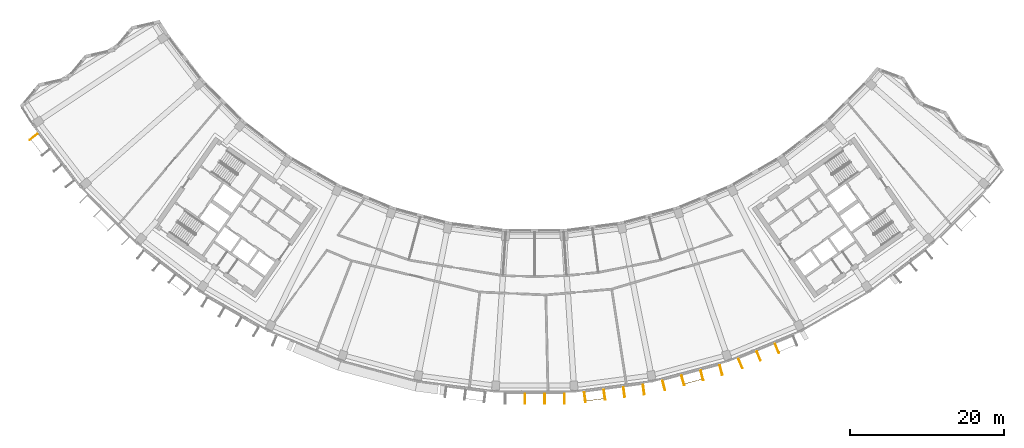
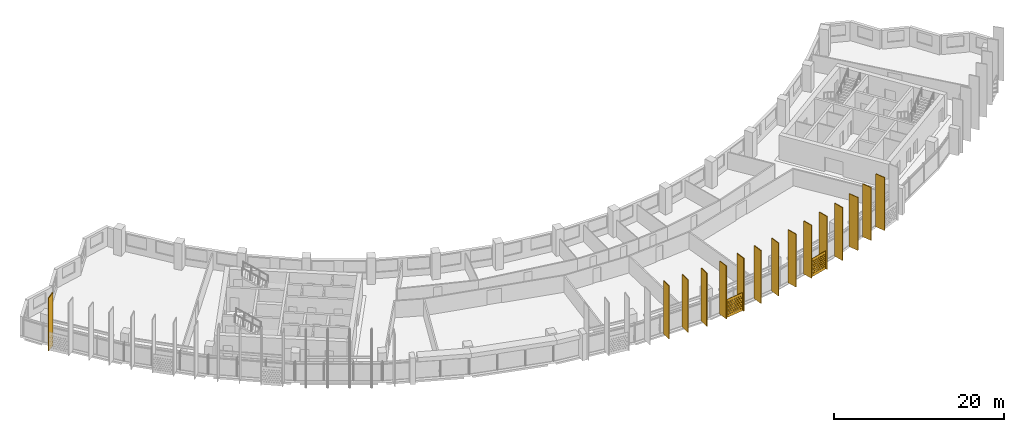
# One storey, part 26 of 28: 17 shading devices.
"""IFC4 building model written with IfcOpenShell, lengths in metres."""

from ifc_helpers import new_model, si_unit, direction, frame, origin, origin_2d, place, context, subcontext, project, spatial, polyline, rectangle, outline, extrude, material, material_profile, profile_set, type_object, element, save


model = new_model("IFC4")

# Units and contexts
model_context = context("Model", 3, precision=1e-05, world=origin(), true_north=direction((0.0, 1.0)))
body_context = subcontext(model_context, "Body", "Model", "MODEL_VIEW")
ifc_project = project(units=[si_unit("LENGTHUNIT", "METRE"), si_unit("AREAUNIT", "SQUARE_METRE"), si_unit("VOLUMEUNIT", "CUBIC_METRE"), si_unit("PLANEANGLEUNIT", "RADIAN"), si_unit("MASSUNIT", "GRAM", prefix="KILO")], contexts=[model_context])

# Site, building, storey
site_placement = place(None, origin())
site = spatial("IfcSite", under=ifc_project, at=site_placement, CompositionType="ELEMENT")
building_placement = place(site_placement, origin())
building = spatial("IfcBuilding", under=site, at=building_placement, Name="Qamariyya Broadcast Tower", CompositionType="ELEMENT")
storey_placement = place(building_placement, frame((0.0, 0.0, 234.10009765625)))
storey = spatial("IfcBuildingStorey", under=building, at=storey_placement, Name="L56", CompositionType="ELEMENT", Elevation=234.10009765625)

# Shading devices
ifc_material_1 = material(Name="Perforated glazed terracotta", Category="masonry")
ifc_material_profile_1 = material_profile(ifc_material_1, outline(polyline([(-1.199951171875, -1.300048828125), (1.199951171875, -1.300048828125), (1.199951171875, 1.300048828125), (-1.199951171875, 1.300048828125), (-1.199951171875, -1.300048828125)]), holes=[polyline([(-0.81494140625, -0.86669921875), (-0.89990234375, -0.78173828125), (-0.985107421875, -0.86669921875), (-0.89990234375, -0.95166015625), (-0.81494140625, -0.86669921875)]), polyline([(-0.514892578125, -0.86669921875), (-0.60009765625, -0.78173828125), (-0.68505859375, -0.86669921875), (-0.60009765625, -0.95166015625), (-0.514892578125, -0.86669921875)]), polyline([(-0.215087890625, -0.86669921875), (-0.300048828125, -0.78173828125), (-0.385009765625, -0.86669921875), (-0.300048828125, -0.95166015625), (-0.215087890625, -0.86669921875)]), polyline([(0.0849609375, -0.86669921875), (0.0, -0.78173828125), (-0.0849609375, -0.86669921875), (0.0, -0.95166015625), (0.0849609375, -0.86669921875)]), polyline([(0.385009765625, -0.86669921875), (0.300048828125, -0.78173828125), (0.215087890625, -0.86669921875), (0.300048828125, -0.95166015625), (0.385009765625, -0.86669921875)]), polyline([(0.68505859375, -0.86669921875), (0.60009765625, -0.78173828125), (0.514892578125, -0.86669921875), (0.60009765625, -0.95166015625), (0.68505859375, -0.86669921875)]), polyline([(0.985107421875, -0.86669921875), (0.89990234375, -0.78173828125), (0.81494140625, -0.86669921875), (0.89990234375, -0.95166015625), (0.985107421875, -0.86669921875)]), polyline([(-0.965087890625, -0.577880859375), (-1.050048828125, -0.49267578125), (-1.135009765625, -0.577880859375), (-1.050048828125, -0.662841796875), (-0.965087890625, -0.577880859375)]), polyline([(-0.6650390625, -0.577880859375), (-0.75, -0.49267578125), (-0.8349609375, -0.577880859375), (-0.75, -0.662841796875), (-0.6650390625, -0.577880859375)]), polyline([(-0.364990234375, -0.577880859375), (-0.449951171875, -0.49267578125), (-0.534912109375, -0.577880859375), (-0.449951171875, -0.662841796875), (-0.364990234375, -0.577880859375)]), polyline([(-0.06494140625, -0.577880859375), (-0.14990234375, -0.49267578125), (-0.235107421875, -0.577880859375), (-0.14990234375, -0.662841796875), (-0.06494140625, -0.577880859375)]), polyline([(0.235107421875, -0.577880859375), (0.14990234375, -0.49267578125), (0.06494140625, -0.577880859375), (0.14990234375, -0.662841796875), (0.235107421875, -0.577880859375)]), polyline([(0.534912109375, -0.577880859375), (0.449951171875, -0.49267578125), (0.364990234375, -0.577880859375), (0.449951171875, -0.662841796875), (0.534912109375, -0.577880859375)]), polyline([(0.8349609375, -0.577880859375), (0.75, -0.49267578125), (0.6650390625, -0.577880859375), (0.75, -0.662841796875), (0.8349609375, -0.577880859375)]), polyline([(1.135009765625, -0.577880859375), (1.050048828125, -0.49267578125), (0.965087890625, -0.577880859375), (1.050048828125, -0.662841796875), (1.135009765625, -0.577880859375)]), polyline([(-0.81494140625, -0.288818359375), (-0.89990234375, -0.203857421875), (-0.985107421875, -0.288818359375), (-0.89990234375, -0.373779296875), (-0.81494140625, -0.288818359375)]), polyline([(-0.514892578125, -0.288818359375), (-0.60009765625, -0.203857421875), (-0.68505859375, -0.288818359375), (-0.60009765625, -0.373779296875), (-0.514892578125, -0.288818359375)]), polyline([(-0.215087890625, -0.288818359375), (-0.300048828125, -0.203857421875), (-0.385009765625, -0.288818359375), (-0.300048828125, -0.373779296875), (-0.215087890625, -0.288818359375)]), polyline([(0.0849609375, -0.288818359375), (0.0, -0.203857421875), (-0.0849609375, -0.288818359375), (0.0, -0.373779296875), (0.0849609375, -0.288818359375)]), polyline([(0.385009765625, -0.288818359375), (0.300048828125, -0.203857421875), (0.215087890625, -0.288818359375), (0.300048828125, -0.373779296875), (0.385009765625, -0.288818359375)]), polyline([(0.68505859375, -0.288818359375), (0.60009765625, -0.203857421875), (0.514892578125, -0.288818359375), (0.60009765625, -0.373779296875), (0.68505859375, -0.288818359375)]), polyline([(0.985107421875, -0.288818359375), (0.89990234375, -0.203857421875), (0.81494140625, -0.288818359375), (0.89990234375, -0.373779296875), (0.985107421875, -0.288818359375)]), polyline([(-0.965087890625, 0.0), (-1.050048828125, 0.0849609375), (-1.135009765625, 0.0), (-1.050048828125, -0.0849609375), (-0.965087890625, 0.0)]), polyline([(-0.6650390625, 0.0), (-0.75, 0.0849609375), (-0.8349609375, 0.0), (-0.75, -0.0849609375), (-0.6650390625, 0.0)]), polyline([(-0.364990234375, 0.0), (-0.449951171875, 0.0849609375), (-0.534912109375, 0.0), (-0.449951171875, -0.0849609375), (-0.364990234375, 0.0)]), polyline([(-0.06494140625, 0.0), (-0.14990234375, 0.0849609375), (-0.235107421875, 0.0), (-0.14990234375, -0.0849609375), (-0.06494140625, 0.0)]), polyline([(0.235107421875, 0.0), (0.14990234375, 0.0849609375), (0.06494140625, 0.0), (0.14990234375, -0.0849609375), (0.235107421875, 0.0)]), polyline([(0.534912109375, 0.0), (0.449951171875, 0.0849609375), (0.364990234375, 0.0), (0.449951171875, -0.0849609375), (0.534912109375, 0.0)]), polyline([(0.8349609375, 0.0), (0.75, 0.0849609375), (0.6650390625, 0.0), (0.75, -0.0849609375), (0.8349609375, 0.0)]), polyline([(1.135009765625, 0.0), (1.050048828125, 0.0849609375), (0.965087890625, 0.0), (1.050048828125, -0.0849609375), (1.135009765625, 0.0)]), polyline([(-0.81494140625, 0.288818359375), (-0.89990234375, 0.373779296875), (-0.985107421875, 0.288818359375), (-0.89990234375, 0.203857421875), (-0.81494140625, 0.288818359375)]), polyline([(-0.514892578125, 0.288818359375), (-0.60009765625, 0.373779296875), (-0.68505859375, 0.288818359375), (-0.60009765625, 0.203857421875), (-0.514892578125, 0.288818359375)]), polyline([(-0.215087890625, 0.288818359375), (-0.300048828125, 0.373779296875), (-0.385009765625, 0.288818359375), (-0.300048828125, 0.203857421875), (-0.215087890625, 0.288818359375)]), polyline([(0.0849609375, 0.288818359375), (0.0, 0.373779296875), (-0.0849609375, 0.288818359375), (0.0, 0.203857421875), (0.0849609375, 0.288818359375)]), polyline([(0.385009765625, 0.288818359375), (0.300048828125, 0.373779296875), (0.215087890625, 0.288818359375), (0.300048828125, 0.203857421875), (0.385009765625, 0.288818359375)]), polyline([(0.68505859375, 0.288818359375), (0.60009765625, 0.373779296875), (0.514892578125, 0.288818359375), (0.60009765625, 0.203857421875), (0.68505859375, 0.288818359375)]), polyline([(0.985107421875, 0.288818359375), (0.89990234375, 0.373779296875), (0.81494140625, 0.288818359375), (0.89990234375, 0.203857421875), (0.985107421875, 0.288818359375)]), polyline([(-0.965087890625, 0.577880859375), (-1.050048828125, 0.662841796875), (-1.135009765625, 0.577880859375), (-1.050048828125, 0.49267578125), (-0.965087890625, 0.577880859375)]), polyline([(-0.6650390625, 0.577880859375), (-0.75, 0.662841796875), (-0.8349609375, 0.577880859375), (-0.75, 0.49267578125), (-0.6650390625, 0.577880859375)]), polyline([(-0.364990234375, 0.577880859375), (-0.449951171875, 0.662841796875), (-0.534912109375, 0.577880859375), (-0.449951171875, 0.49267578125), (-0.364990234375, 0.577880859375)]), polyline([(-0.06494140625, 0.577880859375), (-0.14990234375, 0.662841796875), (-0.235107421875, 0.577880859375), (-0.14990234375, 0.49267578125), (-0.06494140625, 0.577880859375)]), polyline([(0.235107421875, 0.577880859375), (0.14990234375, 0.662841796875), (0.06494140625, 0.577880859375), (0.14990234375, 0.49267578125), (0.235107421875, 0.577880859375)]), polyline([(0.534912109375, 0.577880859375), (0.449951171875, 0.662841796875), (0.364990234375, 0.577880859375), (0.449951171875, 0.49267578125), (0.534912109375, 0.577880859375)]), polyline([(0.8349609375, 0.577880859375), (0.75, 0.662841796875), (0.6650390625, 0.577880859375), (0.75, 0.49267578125), (0.8349609375, 0.577880859375)]), polyline([(1.135009765625, 0.577880859375), (1.050048828125, 0.662841796875), (0.965087890625, 0.577880859375), (1.050048828125, 0.49267578125), (1.135009765625, 0.577880859375)]), polyline([(-0.81494140625, 0.86669921875), (-0.89990234375, 0.95166015625), (-0.985107421875, 0.86669921875), (-0.89990234375, 0.78173828125), (-0.81494140625, 0.86669921875)]), polyline([(-0.514892578125, 0.86669921875), (-0.60009765625, 0.95166015625), (-0.68505859375, 0.86669921875), (-0.60009765625, 0.78173828125), (-0.514892578125, 0.86669921875)]), polyline([(-0.215087890625, 0.86669921875), (-0.300048828125, 0.95166015625), (-0.385009765625, 0.86669921875), (-0.300048828125, 0.78173828125), (-0.215087890625, 0.86669921875)]), polyline([(0.0849609375, 0.86669921875), (0.0, 0.95166015625), (-0.0849609375, 0.86669921875), (0.0, 0.78173828125), (0.0849609375, 0.86669921875)]), polyline([(0.385009765625, 0.86669921875), (0.300048828125, 0.95166015625), (0.215087890625, 0.86669921875), (0.300048828125, 0.78173828125), (0.385009765625, 0.86669921875)]), polyline([(0.68505859375, 0.86669921875), (0.60009765625, 0.95166015625), (0.514892578125, 0.86669921875), (0.60009765625, 0.78173828125), (0.68505859375, 0.86669921875)]), polyline([(0.985107421875, 0.86669921875), (0.89990234375, 0.95166015625), (0.81494140625, 0.86669921875), (0.89990234375, 0.78173828125), (0.985107421875, 0.86669921875)])]))
ifc_profile_set_1 = profile_set([ifc_material_profile_1], Name="Perforated glazed terracotta")
shading_device_type_1 = type_object("IfcShadingDeviceType", Name="Perforated terracotta screen 2400 x 2600", PredefinedType="USERDEFINED", material=ifc_profile_set_1)
shading_device_1_placement = place(storey_placement, frame((7.823974609375, -79.40966796875, 1.349853515625), z_axis=(0.1300340368, -0.991509530601, 0.0), x_axis=(0.991509530601, 0.1300340368, 0.0)))
element("IfcShadingDevice", 1, at=shading_device_1_placement, inside=storey, type_object=shading_device_type_1, Name="e-scr-L56-09-0", ObjectType="SCREEN", PredefinedType="USERDEFINED", context=body_context, shape_type="SweptSolid", body=[
    extrude(outline(polyline([(-1.199951171875, -1.300048828125), (1.199951171875, -1.300048828125), (1.199951171875, 1.300048828125), (-1.199951171875, 1.300048828125), (-1.199951171875, -1.300048828125)]), holes=[polyline([(-0.81494140625, -0.86669921875), (-0.89990234375, -0.78173828125), (-0.985107421875, -0.86669921875), (-0.89990234375, -0.95166015625), (-0.81494140625, -0.86669921875)]), polyline([(-0.514892578125, -0.86669921875), (-0.60009765625, -0.78173828125), (-0.68505859375, -0.86669921875), (-0.60009765625, -0.95166015625), (-0.514892578125, -0.86669921875)]), polyline([(-0.215087890625, -0.86669921875), (-0.300048828125, -0.78173828125), (-0.385009765625, -0.86669921875), (-0.300048828125, -0.95166015625), (-0.215087890625, -0.86669921875)]), polyline([(0.0849609375, -0.86669921875), (0.0, -0.78173828125), (-0.0849609375, -0.86669921875), (0.0, -0.95166015625), (0.0849609375, -0.86669921875)]), polyline([(0.385009765625, -0.86669921875), (0.300048828125, -0.78173828125), (0.215087890625, -0.86669921875), (0.300048828125, -0.95166015625), (0.385009765625, -0.86669921875)]), polyline([(0.68505859375, -0.86669921875), (0.60009765625, -0.78173828125), (0.514892578125, -0.86669921875), (0.60009765625, -0.95166015625), (0.68505859375, -0.86669921875)]), polyline([(0.985107421875, -0.86669921875), (0.89990234375, -0.78173828125), (0.81494140625, -0.86669921875), (0.89990234375, -0.95166015625), (0.985107421875, -0.86669921875)]), polyline([(-0.965087890625, -0.577880859375), (-1.050048828125, -0.49267578125), (-1.135009765625, -0.577880859375), (-1.050048828125, -0.662841796875), (-0.965087890625, -0.577880859375)]), polyline([(-0.6650390625, -0.577880859375), (-0.75, -0.49267578125), (-0.8349609375, -0.577880859375), (-0.75, -0.662841796875), (-0.6650390625, -0.577880859375)]), polyline([(-0.364990234375, -0.577880859375), (-0.449951171875, -0.49267578125), (-0.534912109375, -0.577880859375), (-0.449951171875, -0.662841796875), (-0.364990234375, -0.577880859375)]), polyline([(-0.06494140625, -0.577880859375), (-0.14990234375, -0.49267578125), (-0.235107421875, -0.577880859375), (-0.14990234375, -0.662841796875), (-0.06494140625, -0.577880859375)]), polyline([(0.235107421875, -0.577880859375), (0.14990234375, -0.49267578125), (0.06494140625, -0.577880859375), (0.14990234375, -0.662841796875), (0.235107421875, -0.577880859375)]), polyline([(0.534912109375, -0.577880859375), (0.449951171875, -0.49267578125), (0.364990234375, -0.577880859375), (0.449951171875, -0.662841796875), (0.534912109375, -0.577880859375)]), polyline([(0.8349609375, -0.577880859375), (0.75, -0.49267578125), (0.6650390625, -0.577880859375), (0.75, -0.662841796875), (0.8349609375, -0.577880859375)]), polyline([(1.135009765625, -0.577880859375), (1.050048828125, -0.49267578125), (0.965087890625, -0.577880859375), (1.050048828125, -0.662841796875), (1.135009765625, -0.577880859375)]), polyline([(-0.81494140625, -0.288818359375), (-0.89990234375, -0.203857421875), (-0.985107421875, -0.288818359375), (-0.89990234375, -0.373779296875), (-0.81494140625, -0.288818359375)]), polyline([(-0.514892578125, -0.288818359375), (-0.60009765625, -0.203857421875), (-0.68505859375, -0.288818359375), (-0.60009765625, -0.373779296875), (-0.514892578125, -0.288818359375)]), polyline([(-0.215087890625, -0.288818359375), (-0.300048828125, -0.203857421875), (-0.385009765625, -0.288818359375), (-0.300048828125, -0.373779296875), (-0.215087890625, -0.288818359375)]), polyline([(0.0849609375, -0.288818359375), (0.0, -0.203857421875), (-0.0849609375, -0.288818359375), (0.0, -0.373779296875), (0.0849609375, -0.288818359375)]), polyline([(0.385009765625, -0.288818359375), (0.300048828125, -0.203857421875), (0.215087890625, -0.288818359375), (0.300048828125, -0.373779296875), (0.385009765625, -0.288818359375)]), polyline([(0.68505859375, -0.288818359375), (0.60009765625, -0.203857421875), (0.514892578125, -0.288818359375), (0.60009765625, -0.373779296875), (0.68505859375, -0.288818359375)]), polyline([(0.985107421875, -0.288818359375), (0.89990234375, -0.203857421875), (0.81494140625, -0.288818359375), (0.89990234375, -0.373779296875), (0.985107421875, -0.288818359375)]), polyline([(-0.965087890625, 0.0), (-1.050048828125, 0.0849609375), (-1.135009765625, 0.0), (-1.050048828125, -0.0849609375), (-0.965087890625, 0.0)]), polyline([(-0.6650390625, 0.0), (-0.75, 0.0849609375), (-0.8349609375, 0.0), (-0.75, -0.0849609375), (-0.6650390625, 0.0)]), polyline([(-0.364990234375, 0.0), (-0.449951171875, 0.0849609375), (-0.534912109375, 0.0), (-0.449951171875, -0.0849609375), (-0.364990234375, 0.0)]), polyline([(-0.06494140625, 0.0), (-0.14990234375, 0.0849609375), (-0.235107421875, 0.0), (-0.14990234375, -0.0849609375), (-0.06494140625, 0.0)]), polyline([(0.235107421875, 0.0), (0.14990234375, 0.0849609375), (0.06494140625, 0.0), (0.14990234375, -0.0849609375), (0.235107421875, 0.0)]), polyline([(0.534912109375, 0.0), (0.449951171875, 0.0849609375), (0.364990234375, 0.0), (0.449951171875, -0.0849609375), (0.534912109375, 0.0)]), polyline([(0.8349609375, 0.0), (0.75, 0.0849609375), (0.6650390625, 0.0), (0.75, -0.0849609375), (0.8349609375, 0.0)]), polyline([(1.135009765625, 0.0), (1.050048828125, 0.0849609375), (0.965087890625, 0.0), (1.050048828125, -0.0849609375), (1.135009765625, 0.0)]), polyline([(-0.81494140625, 0.288818359375), (-0.89990234375, 0.373779296875), (-0.985107421875, 0.288818359375), (-0.89990234375, 0.203857421875), (-0.81494140625, 0.288818359375)]), polyline([(-0.514892578125, 0.288818359375), (-0.60009765625, 0.373779296875), (-0.68505859375, 0.288818359375), (-0.60009765625, 0.203857421875), (-0.514892578125, 0.288818359375)]), polyline([(-0.215087890625, 0.288818359375), (-0.300048828125, 0.373779296875), (-0.385009765625, 0.288818359375), (-0.300048828125, 0.203857421875), (-0.215087890625, 0.288818359375)]), polyline([(0.0849609375, 0.288818359375), (0.0, 0.373779296875), (-0.0849609375, 0.288818359375), (0.0, 0.203857421875), (0.0849609375, 0.288818359375)]), polyline([(0.385009765625, 0.288818359375), (0.300048828125, 0.373779296875), (0.215087890625, 0.288818359375), (0.300048828125, 0.203857421875), (0.385009765625, 0.288818359375)]), polyline([(0.68505859375, 0.288818359375), (0.60009765625, 0.373779296875), (0.514892578125, 0.288818359375), (0.60009765625, 0.203857421875), (0.68505859375, 0.288818359375)]), polyline([(0.985107421875, 0.288818359375), (0.89990234375, 0.373779296875), (0.81494140625, 0.288818359375), (0.89990234375, 0.203857421875), (0.985107421875, 0.288818359375)]), polyline([(-0.965087890625, 0.577880859375), (-1.050048828125, 0.662841796875), (-1.135009765625, 0.577880859375), (-1.050048828125, 0.49267578125), (-0.965087890625, 0.577880859375)]), polyline([(-0.6650390625, 0.577880859375), (-0.75, 0.662841796875), (-0.8349609375, 0.577880859375), (-0.75, 0.49267578125), (-0.6650390625, 0.577880859375)]), polyline([(-0.364990234375, 0.577880859375), (-0.449951171875, 0.662841796875), (-0.534912109375, 0.577880859375), (-0.449951171875, 0.49267578125), (-0.364990234375, 0.577880859375)]), polyline([(-0.06494140625, 0.577880859375), (-0.14990234375, 0.662841796875), (-0.235107421875, 0.577880859375), (-0.14990234375, 0.49267578125), (-0.06494140625, 0.577880859375)]), polyline([(0.235107421875, 0.577880859375), (0.14990234375, 0.662841796875), (0.06494140625, 0.577880859375), (0.14990234375, 0.49267578125), (0.235107421875, 0.577880859375)]), polyline([(0.534912109375, 0.577880859375), (0.449951171875, 0.662841796875), (0.364990234375, 0.577880859375), (0.449951171875, 0.49267578125), (0.534912109375, 0.577880859375)]), polyline([(0.8349609375, 0.577880859375), (0.75, 0.662841796875), (0.6650390625, 0.577880859375), (0.75, 0.49267578125), (0.8349609375, 0.577880859375)]), polyline([(1.135009765625, 0.577880859375), (1.050048828125, 0.662841796875), (0.965087890625, 0.577880859375), (1.050048828125, 0.49267578125), (1.135009765625, 0.577880859375)]), polyline([(-0.81494140625, 0.86669921875), (-0.89990234375, 0.95166015625), (-0.985107421875, 0.86669921875), (-0.89990234375, 0.78173828125), (-0.81494140625, 0.86669921875)]), polyline([(-0.514892578125, 0.86669921875), (-0.60009765625, 0.95166015625), (-0.68505859375, 0.86669921875), (-0.60009765625, 0.78173828125), (-0.514892578125, 0.86669921875)]), polyline([(-0.215087890625, 0.86669921875), (-0.300048828125, 0.95166015625), (-0.385009765625, 0.86669921875), (-0.300048828125, 0.78173828125), (-0.215087890625, 0.86669921875)]), polyline([(0.0849609375, 0.86669921875), (0.0, 0.95166015625), (-0.0849609375, 0.86669921875), (0.0, 0.78173828125), (0.0849609375, 0.86669921875)]), polyline([(0.385009765625, 0.86669921875), (0.300048828125, 0.95166015625), (0.215087890625, 0.86669921875), (0.300048828125, 0.78173828125), (0.385009765625, 0.86669921875)]), polyline([(0.68505859375, 0.86669921875), (0.60009765625, 0.95166015625), (0.514892578125, 0.86669921875), (0.60009765625, 0.78173828125), (0.68505859375, 0.86669921875)]), polyline([(0.985107421875, 0.86669921875), (0.89990234375, 0.95166015625), (0.81494140625, 0.86669921875), (0.89990234375, 0.78173828125), (0.985107421875, 0.86669921875)])]), origin(), (0.0, 0.0, 1.0), 0.06005859375),
])
shading_device_2_placement = place(storey_placement, frame((20.6064453125, -77.04345703125, 1.349853515625), z_axis=(0.260703819255, -0.965418830677, 0.0), x_axis=(0.965418830677, 0.260703819255, 0.0)))
element("IfcShadingDevice", 2, at=shading_device_2_placement, inside=storey, type_object=shading_device_type_1, Name="e-scr-L56-10-1", ObjectType="SCREEN", PredefinedType="USERDEFINED", context=body_context, shape_type="SweptSolid", body=[
    extrude(outline(polyline([(-1.199951171875, -1.300048828125), (1.199951171875, -1.300048828125), (1.199951171875, 1.300048828125), (-1.199951171875, 1.300048828125), (-1.199951171875, -1.300048828125)]), holes=[polyline([(-0.81494140625, -0.86669921875), (-0.89990234375, -0.78173828125), (-0.985107421875, -0.86669921875), (-0.89990234375, -0.95166015625), (-0.81494140625, -0.86669921875)]), polyline([(-0.514892578125, -0.86669921875), (-0.60009765625, -0.78173828125), (-0.68505859375, -0.86669921875), (-0.60009765625, -0.95166015625), (-0.514892578125, -0.86669921875)]), polyline([(-0.215087890625, -0.86669921875), (-0.300048828125, -0.78173828125), (-0.385009765625, -0.86669921875), (-0.300048828125, -0.95166015625), (-0.215087890625, -0.86669921875)]), polyline([(0.0849609375, -0.86669921875), (0.0, -0.78173828125), (-0.0849609375, -0.86669921875), (0.0, -0.95166015625), (0.0849609375, -0.86669921875)]), polyline([(0.385009765625, -0.86669921875), (0.300048828125, -0.78173828125), (0.215087890625, -0.86669921875), (0.300048828125, -0.95166015625), (0.385009765625, -0.86669921875)]), polyline([(0.68505859375, -0.86669921875), (0.60009765625, -0.78173828125), (0.514892578125, -0.86669921875), (0.60009765625, -0.95166015625), (0.68505859375, -0.86669921875)]), polyline([(0.985107421875, -0.86669921875), (0.89990234375, -0.78173828125), (0.81494140625, -0.86669921875), (0.89990234375, -0.95166015625), (0.985107421875, -0.86669921875)]), polyline([(-0.965087890625, -0.577880859375), (-1.050048828125, -0.49267578125), (-1.135009765625, -0.577880859375), (-1.050048828125, -0.662841796875), (-0.965087890625, -0.577880859375)]), polyline([(-0.6650390625, -0.577880859375), (-0.75, -0.49267578125), (-0.8349609375, -0.577880859375), (-0.75, -0.662841796875), (-0.6650390625, -0.577880859375)]), polyline([(-0.364990234375, -0.577880859375), (-0.449951171875, -0.49267578125), (-0.534912109375, -0.577880859375), (-0.449951171875, -0.662841796875), (-0.364990234375, -0.577880859375)]), polyline([(-0.06494140625, -0.577880859375), (-0.14990234375, -0.49267578125), (-0.235107421875, -0.577880859375), (-0.14990234375, -0.662841796875), (-0.06494140625, -0.577880859375)]), polyline([(0.235107421875, -0.577880859375), (0.14990234375, -0.49267578125), (0.06494140625, -0.577880859375), (0.14990234375, -0.662841796875), (0.235107421875, -0.577880859375)]), polyline([(0.534912109375, -0.577880859375), (0.449951171875, -0.49267578125), (0.364990234375, -0.577880859375), (0.449951171875, -0.662841796875), (0.534912109375, -0.577880859375)]), polyline([(0.8349609375, -0.577880859375), (0.75, -0.49267578125), (0.6650390625, -0.577880859375), (0.75, -0.662841796875), (0.8349609375, -0.577880859375)]), polyline([(1.135009765625, -0.577880859375), (1.050048828125, -0.49267578125), (0.965087890625, -0.577880859375), (1.050048828125, -0.662841796875), (1.135009765625, -0.577880859375)]), polyline([(-0.81494140625, -0.288818359375), (-0.89990234375, -0.203857421875), (-0.985107421875, -0.288818359375), (-0.89990234375, -0.373779296875), (-0.81494140625, -0.288818359375)]), polyline([(-0.514892578125, -0.288818359375), (-0.60009765625, -0.203857421875), (-0.68505859375, -0.288818359375), (-0.60009765625, -0.373779296875), (-0.514892578125, -0.288818359375)]), polyline([(-0.215087890625, -0.288818359375), (-0.300048828125, -0.203857421875), (-0.385009765625, -0.288818359375), (-0.300048828125, -0.373779296875), (-0.215087890625, -0.288818359375)]), polyline([(0.0849609375, -0.288818359375), (0.0, -0.203857421875), (-0.0849609375, -0.288818359375), (0.0, -0.373779296875), (0.0849609375, -0.288818359375)]), polyline([(0.385009765625, -0.288818359375), (0.300048828125, -0.203857421875), (0.215087890625, -0.288818359375), (0.300048828125, -0.373779296875), (0.385009765625, -0.288818359375)]), polyline([(0.68505859375, -0.288818359375), (0.60009765625, -0.203857421875), (0.514892578125, -0.288818359375), (0.60009765625, -0.373779296875), (0.68505859375, -0.288818359375)]), polyline([(0.985107421875, -0.288818359375), (0.89990234375, -0.203857421875), (0.81494140625, -0.288818359375), (0.89990234375, -0.373779296875), (0.985107421875, -0.288818359375)]), polyline([(-0.965087890625, 0.0), (-1.050048828125, 0.0849609375), (-1.135009765625, 0.0), (-1.050048828125, -0.0849609375), (-0.965087890625, 0.0)]), polyline([(-0.6650390625, 0.0), (-0.75, 0.0849609375), (-0.8349609375, 0.0), (-0.75, -0.0849609375), (-0.6650390625, 0.0)]), polyline([(-0.364990234375, 0.0), (-0.449951171875, 0.0849609375), (-0.534912109375, 0.0), (-0.449951171875, -0.0849609375), (-0.364990234375, 0.0)]), polyline([(-0.06494140625, 0.0), (-0.14990234375, 0.0849609375), (-0.235107421875, 0.0), (-0.14990234375, -0.0849609375), (-0.06494140625, 0.0)]), polyline([(0.235107421875, 0.0), (0.14990234375, 0.0849609375), (0.06494140625, 0.0), (0.14990234375, -0.0849609375), (0.235107421875, 0.0)]), polyline([(0.534912109375, 0.0), (0.449951171875, 0.0849609375), (0.364990234375, 0.0), (0.449951171875, -0.0849609375), (0.534912109375, 0.0)]), polyline([(0.8349609375, 0.0), (0.75, 0.0849609375), (0.6650390625, 0.0), (0.75, -0.0849609375), (0.8349609375, 0.0)]), polyline([(1.135009765625, 0.0), (1.050048828125, 0.0849609375), (0.965087890625, 0.0), (1.050048828125, -0.0849609375), (1.135009765625, 0.0)]), polyline([(-0.81494140625, 0.288818359375), (-0.89990234375, 0.373779296875), (-0.985107421875, 0.288818359375), (-0.89990234375, 0.203857421875), (-0.81494140625, 0.288818359375)]), polyline([(-0.514892578125, 0.288818359375), (-0.60009765625, 0.373779296875), (-0.68505859375, 0.288818359375), (-0.60009765625, 0.203857421875), (-0.514892578125, 0.288818359375)]), polyline([(-0.215087890625, 0.288818359375), (-0.300048828125, 0.373779296875), (-0.385009765625, 0.288818359375), (-0.300048828125, 0.203857421875), (-0.215087890625, 0.288818359375)]), polyline([(0.0849609375, 0.288818359375), (0.0, 0.373779296875), (-0.0849609375, 0.288818359375), (0.0, 0.203857421875), (0.0849609375, 0.288818359375)]), polyline([(0.385009765625, 0.288818359375), (0.300048828125, 0.373779296875), (0.215087890625, 0.288818359375), (0.300048828125, 0.203857421875), (0.385009765625, 0.288818359375)]), polyline([(0.68505859375, 0.288818359375), (0.60009765625, 0.373779296875), (0.514892578125, 0.288818359375), (0.60009765625, 0.203857421875), (0.68505859375, 0.288818359375)]), polyline([(0.985107421875, 0.288818359375), (0.89990234375, 0.373779296875), (0.81494140625, 0.288818359375), (0.89990234375, 0.203857421875), (0.985107421875, 0.288818359375)]), polyline([(-0.965087890625, 0.577880859375), (-1.050048828125, 0.662841796875), (-1.135009765625, 0.577880859375), (-1.050048828125, 0.49267578125), (-0.965087890625, 0.577880859375)]), polyline([(-0.6650390625, 0.577880859375), (-0.75, 0.662841796875), (-0.8349609375, 0.577880859375), (-0.75, 0.49267578125), (-0.6650390625, 0.577880859375)]), polyline([(-0.364990234375, 0.577880859375), (-0.449951171875, 0.662841796875), (-0.534912109375, 0.577880859375), (-0.449951171875, 0.49267578125), (-0.364990234375, 0.577880859375)]), polyline([(-0.06494140625, 0.577880859375), (-0.14990234375, 0.662841796875), (-0.235107421875, 0.577880859375), (-0.14990234375, 0.49267578125), (-0.06494140625, 0.577880859375)]), polyline([(0.235107421875, 0.577880859375), (0.14990234375, 0.662841796875), (0.06494140625, 0.577880859375), (0.14990234375, 0.49267578125), (0.235107421875, 0.577880859375)]), polyline([(0.534912109375, 0.577880859375), (0.449951171875, 0.662841796875), (0.364990234375, 0.577880859375), (0.449951171875, 0.49267578125), (0.534912109375, 0.577880859375)]), polyline([(0.8349609375, 0.577880859375), (0.75, 0.662841796875), (0.6650390625, 0.577880859375), (0.75, 0.49267578125), (0.8349609375, 0.577880859375)]), polyline([(1.135009765625, 0.577880859375), (1.050048828125, 0.662841796875), (0.965087890625, 0.577880859375), (1.050048828125, 0.49267578125), (1.135009765625, 0.577880859375)]), polyline([(-0.81494140625, 0.86669921875), (-0.89990234375, 0.95166015625), (-0.985107421875, 0.86669921875), (-0.89990234375, 0.78173828125), (-0.81494140625, 0.86669921875)]), polyline([(-0.514892578125, 0.86669921875), (-0.60009765625, 0.95166015625), (-0.68505859375, 0.86669921875), (-0.60009765625, 0.78173828125), (-0.514892578125, 0.86669921875)]), polyline([(-0.215087890625, 0.86669921875), (-0.300048828125, 0.95166015625), (-0.385009765625, 0.86669921875), (-0.300048828125, 0.78173828125), (-0.215087890625, 0.86669921875)]), polyline([(0.0849609375, 0.86669921875), (0.0, 0.95166015625), (-0.0849609375, 0.86669921875), (0.0, 0.78173828125), (0.0849609375, 0.86669921875)]), polyline([(0.385009765625, 0.86669921875), (0.300048828125, 0.95166015625), (0.215087890625, 0.86669921875), (0.300048828125, 0.78173828125), (0.385009765625, 0.86669921875)]), polyline([(0.68505859375, 0.86669921875), (0.60009765625, 0.95166015625), (0.514892578125, 0.86669921875), (0.60009765625, 0.78173828125), (0.68505859375, 0.86669921875)]), polyline([(0.985107421875, 0.86669921875), (0.89990234375, 0.95166015625), (0.81494140625, 0.86669921875), (0.89990234375, 0.78173828125), (0.985107421875, 0.86669921875)])]), origin(), (0.0, 0.0, 1.0), 0.059814453125),
])
ifc_material_2 = material(Name="Glazed terracotta", Category="masonry")
ifc_material_profile_2 = material_profile(ifc_material_2, rectangle(XDim=1.300048828125, YDim=0.10009765625, at=origin_2d()))
ifc_profile_set_2 = profile_set([ifc_material_profile_2], Name="Glazed terracotta")
shading_device_type_2 = type_object("IfcShadingDeviceType", Name="Terracotta fin 100 x 1300", PredefinedType="USERDEFINED", material=ifc_profile_set_2)
for number, where, z_axis, x_axis, name in (
    (3, (-65.246826171875, -45.202880859375, 0.0), (0.0, 0.0, 1.0), (-0.793353340291, -0.608761429009, 0.0), "e-fin-L56-01-0"),
    (4, (-1.285888671875, -79.281494140625, 0.0), (0.0, 0.0, 1.0), (0.0, -1.0, 0.0), "e-fin-L56-08-1"),
    (5, (1.285888671875, -79.281494140625, 0.0), (0.0, 0.0, 1.0), (0.0, -1.0, 0.0), "e-fin-L56-08-2"),
    (6, (3.85791015625, -79.281494140625, 0.0), (0.0, 0.0, 1.0), (0.0, -1.0, 0.0), "e-fin-L56-08-3"),
    (7, (6.5234375, -79.10693359375, 0.0), (0.0, 0.0, 1.0), (0.13052619222, -0.991444861374, 0.0), "e-fin-L56-09-0"),
    (8, (9.0732421875, -78.771240234375, 0.0), (0.0, 0.0, 1.0), (0.13052619222, -0.991444861374, 0.0), "e-fin-L56-09-1"),
    (9, (11.623291015625, -78.435546875, 0.0), (0.0, 0.0, 1.0), (0.13052619222, -0.991444861374, 0.0), "e-fin-L56-09-2"),
    (10, (14.17333984375, -78.099853515625, 0.0), (0.0, 0.0, 1.0), (0.13052619222, -0.991444861374, 0.0), "e-fin-L56-09-3"),
    (11, (16.79296875, -77.57861328125, 0.0), (0.0, 0.0, 1.0), (0.258819045103, -0.965925826289, 0.0), "e-fin-L56-10-0"),
    (12, (19.27734375, -76.9130859375, 0.0), (0.0, 0.0, 1.0), (0.258819045103, -0.965925826289, 0.0), "e-fin-L56-10-1"),
    (13, (21.76171875, -76.247314453125, 0.0), (0.0, 0.0, 1.0), (0.258819045103, -0.965925826289, 0.0), "e-fin-L56-10-2"),
    (14, (24.24609375, -75.58154296875, 0.0), (0.0, 0.0, 1.0), (0.258819045103, -0.965925826289, 0.0), "e-fin-L56-10-3"),
    (15, (26.775390625, -74.72314453125, 0.0), (0.0, 0.0, 1.0), (0.382683432365, -0.923879532511, 0.0), "e-fin-L56-11-0"),
    (16, (29.151611328125, -73.73876953125, 0.0), (0.0, 0.0, 1.0), (0.382683432365, -0.923879532511, 0.0), "e-fin-L56-11-1"),
    (17, (31.52783203125, -72.754638671875, 0.0), (0.0, 0.0, 1.0), (0.382683432365, -0.923879532511, 0.0), "e-fin-L56-11-2"),
):
    element("IfcShadingDevice", number, at=place(storey_placement, frame(where, z_axis=z_axis, x_axis=x_axis)), inside=storey, type_object=shading_device_type_2, Name=name, ObjectType="FIN", PredefinedType="USERDEFINED", context=body_context, shape_type="SweptSolid", body=[
        extrude(rectangle(XDim=1.300048828125, YDim=0.10009765625, at=origin_2d()), origin(), (0.0, 0.0, 1.0), 7.599853515625),
    ])

save(model, "model.ifc")
